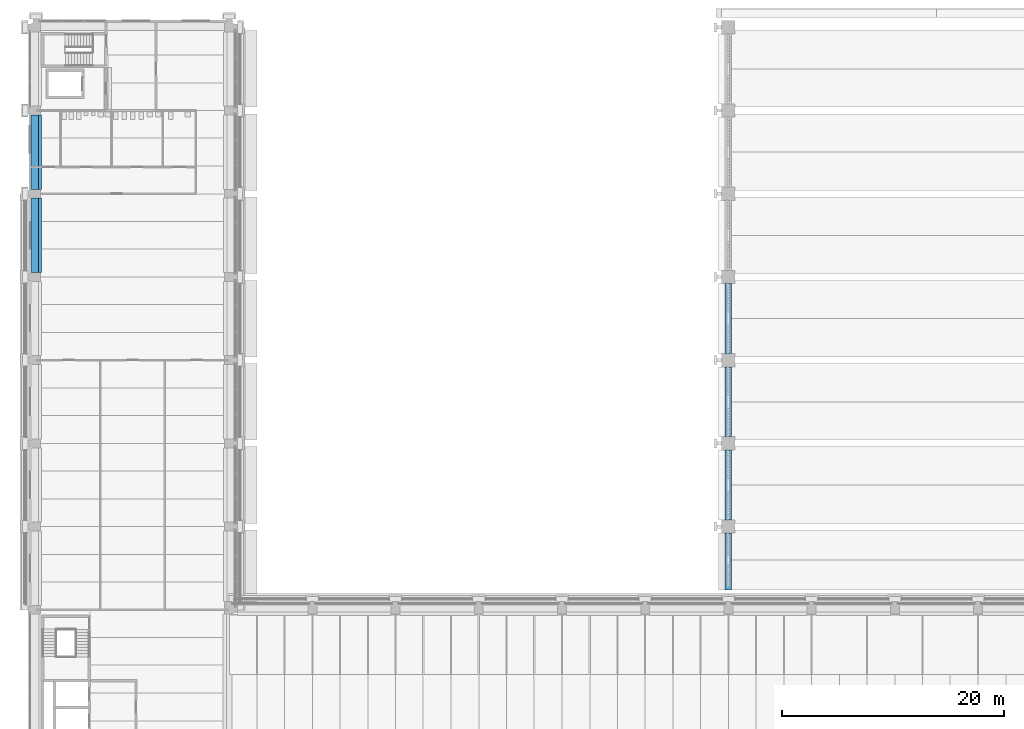
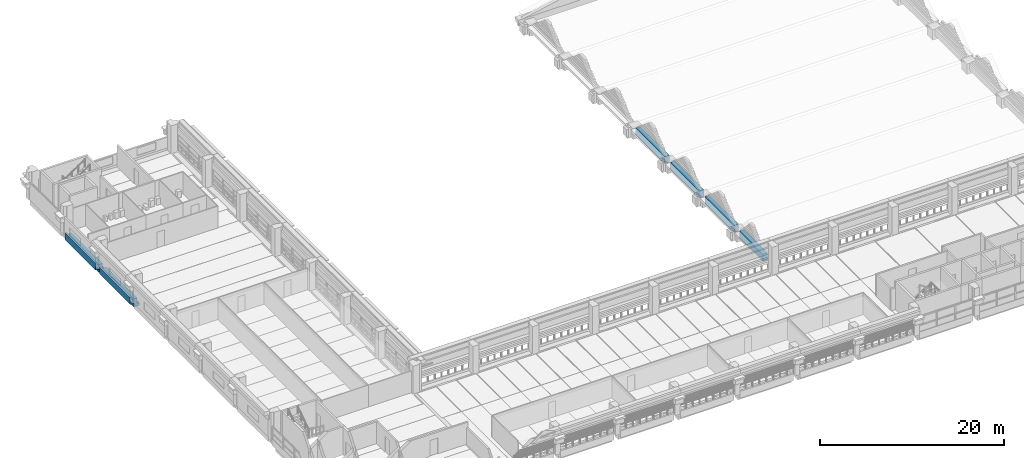
# One storey, part 11 of 71: 6 beams.
"""IFC4 building model written with IfcOpenShell, lengths in metres."""

from ifc_helpers import new_model, si_unit, direction, frame, origin, origin_2d, place, context, subcontext, project, spatial, polyline, rectangle, outline, extrude, material, material_profile, profile_set, type_object, element, save


model = new_model("IFC4")

# Units and contexts
model_context = context("Model", 3, precision=1e-05, world=origin(), true_north=direction((0.0, 1.0)))
body_context = subcontext(model_context, "Body", "Model", "MODEL_VIEW")
ifc_project = project(units=[si_unit("LENGTHUNIT", "METRE"), si_unit("AREAUNIT", "SQUARE_METRE"), si_unit("VOLUMEUNIT", "CUBIC_METRE"), si_unit("PLANEANGLEUNIT", "RADIAN"), si_unit("MASSUNIT", "GRAM", prefix="KILO")], contexts=[model_context])

# Site, building, storey
site_placement = place(None, origin())
site = spatial("IfcSite", under=ifc_project, at=site_placement, CompositionType="ELEMENT")
building_placement = place(site_placement, origin())
building = spatial("IfcBuilding", under=site, at=building_placement, Name="Cour d'Honneur Mobility Palace", CompositionType="ELEMENT")
storey_placement = place(building_placement, frame((0.0, 0.0, 15.60009765625)))
storey = spatial("IfcBuildingStorey", under=building, at=storey_placement, Name="L04", CompositionType="ELEMENT", Elevation=15.60009765625)

# Beams
ifc_material_1 = material(Name="Concrete C50", Category="concrete")
ifc_material_profile_1 = material_profile(ifc_material_1, rectangle(XDim=0.60009765625, YDim=0.89990234375, at=origin_2d()), Name="Hall edge beam 600x900")
ifc_profile_set_1 = profile_set([ifc_material_profile_1], Name="Concrete C50")
beam_type_1 = type_object("IfcBeamType", Name="Hall edge beam 600x900", PredefinedType="BEAM", material=ifc_profile_set_1)
beam_placement = place(storey_placement, frame((62.39990234375, 64.199951171875, 0.949951171875), z_axis=(0.0, 1.0, 0.0), x_axis=(-1.0, 0.0, 0.0)))
element("IfcBeam", 1, at=beam_placement, inside=storey, type_object=beam_type_1, Name="Hall edge beam EB-W1", PredefinedType="BEAM", context=body_context, shape_type="SweptSolid", body=[
    extrude(rectangle(XDim=0.60009765625, YDim=0.89990234375, at=origin_2d()), origin(), (0.0, 0.0, 1.0), 5.10009765625),
])
for number, where, z_axis, x_axis, name in (
    (2, (62.39990234375, 70.5, 0.949951171875), (0.0, 1.0, 0.0), (-1.0, 0.0, 0.0), "Hall edge beam EB-W2"),
    (3, (62.39990234375, 78.0, 0.949951171875), (0.0, 1.0, 0.0), (-1.0, 0.0, 0.0), "Hall edge beam EB-W3"),
    (4, (62.39990234375, 85.5, 0.949951171875), (0.0, 1.0, 0.0), (-1.0, 0.0, 0.0), "Hall edge beam EB-W4"),
):
    element("IfcBeam", number, at=place(storey_placement, frame(where, z_axis=z_axis, x_axis=x_axis)), inside=storey, type_object=beam_type_1, Name=name, PredefinedType="BEAM", context=body_context, shape_type="SweptSolid", body=[
        extrude(rectangle(XDim=0.60009765625, YDim=0.89990234375, at=origin_2d()), origin(), (0.0, 0.0, 1.0), 6.300048828125),
    ])
ifc_material_2 = material(Name="Concrete C45", Category="concrete")
ifc_material_profile_2 = material_profile(ifc_material_2, outline(polyline([(0.199951171875, -1.10009765625), (0.199951171875, -0.60009765625), (0.64990234375, -0.60009765625), (0.64990234375, 0.300048828125), (0.449951171875, 0.300048828125), (0.449951171875, 0.0), (0.199951171875, 0.0), (-0.199951171875, 0.0), (-0.199951171875, -0.75), (-0.5, -0.75), (-0.5, -1.10009765625), (0.199951171875, -1.10009765625)])), Name="Ledger Beam 400x1100 ledge right 350 facade left")
ifc_profile_set_2 = profile_set([ifc_material_profile_2], Name="Concrete C45")
beam_type_2 = type_object("IfcBeamType", Name="Ledger Beam 400x1100 ledge right 350 facade left", PredefinedType="BEAM", material=ifc_profile_set_2)
for number, where, z_axis, x_axis, name in (
    (5, (0.0, 92.800048828125, 0.0), (0.0, 1.0, 0.0), (-1.0, 0.0, 0.0), "Precast beam B4 M-N L04"),
    (6, (0.0, 100.300048828125, 0.0), (0.0, 1.0, 0.0), (-1.0, 0.0, 0.0), "Precast beam B4 N-P L04"),
):
    element("IfcBeam", number, at=place(storey_placement, frame(where, z_axis=z_axis, x_axis=x_axis)), inside=storey, type_object=beam_type_2, Name=name, PredefinedType="BEAM", context=body_context, shape_type="SweptSolid", body=[
        extrude(outline(polyline([(0.199951171875, -1.10009765625), (0.199951171875, -0.60009765625), (0.64990234375, -0.60009765625), (0.64990234375, 0.300048828125), (0.449951171875, 0.300048828125), (0.449951171875, 0.0), (0.199951171875, 0.0), (-0.199951171875, 0.0), (-0.199951171875, -0.75), (-0.5, -0.75), (-0.5, -1.10009765625), (0.199951171875, -1.10009765625)])), origin(), (0.0, 0.0, 1.0), 6.699951171875),
    ])

save(model, "model.ifc")
